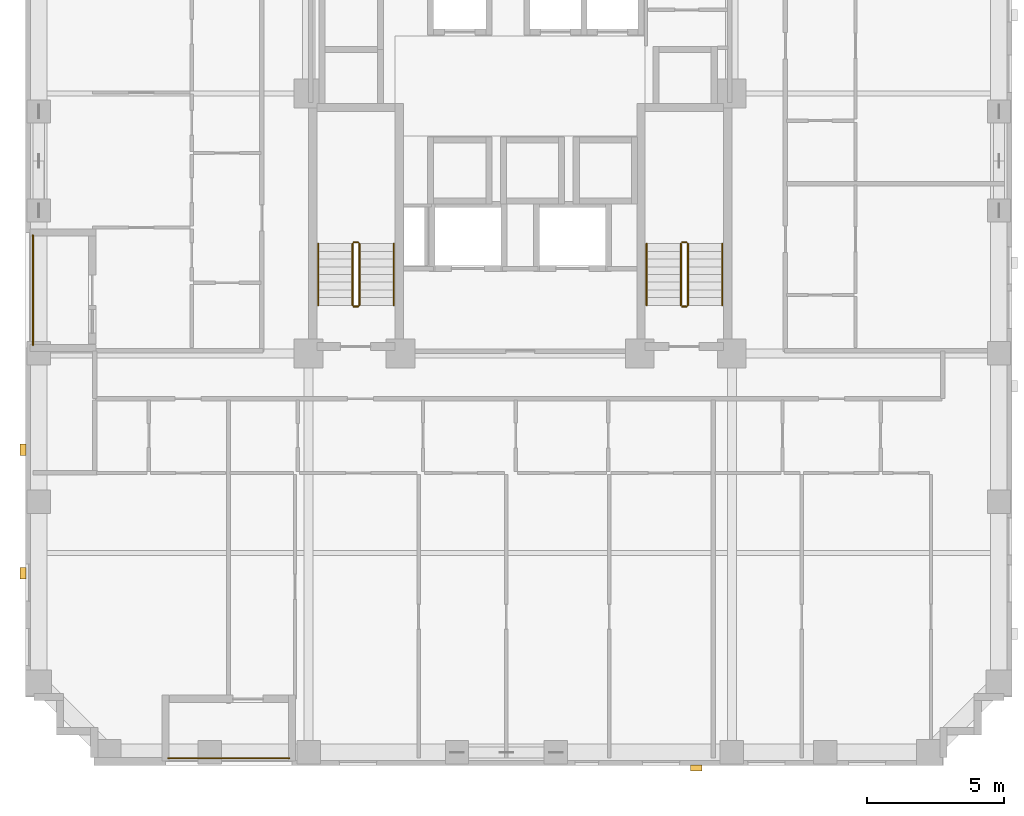
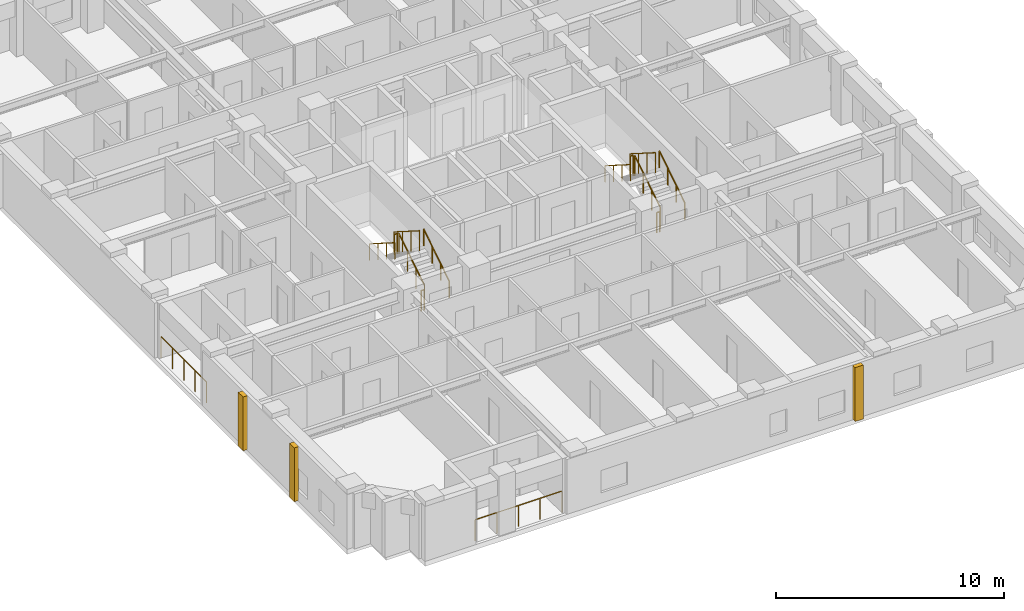
# One storey, part 11 of 12: 14 railings, 3 coverings.
"""IFC4 building model written with IfcOpenShell, lengths in metres."""

import ifcopenshell
import ifcopenshell.guid

model = None  # the IFC model being written
_history = None  # IfcOwnerHistory: only IFC2X3 demands one
_inside = {}  # id of a spatial element -> (the spatial element, [elements in it])
_under = {}  # id of a project, library or spatial element -> (it, [spatial elements below it])
_declared = {}  # id of a project -> (the project, [libraries it declares])
_typed = {}  # id of a type object -> (the type object, [elements of that type])
_made_of = {}  # id of a material, layer set ... -> (it, [elements and type objects made of it])


def new_model(schema):
    """Start an empty IFC model of exactly this schema.

    Asked for "IFC4X3", IfcOpenShell would pick the latest addendum, in which some entities
    have other attributes; the version numbers below select the first issue.
    IFC2X3 requires an IfcOwnerHistory on every rooted entity: one is made here for all.
    """
    global model, _history
    if schema == "IFC4X3":
        model = ifcopenshell.file(schema_version=(4, 3, 0, 0))
    else:
        model = ifcopenshell.file(schema=schema)
    _inside.clear()
    _under.clear()
    _declared.clear()
    _typed.clear()
    _made_of.clear()
    _history = None
    if model.schema == "IFC2X3":
        org = make("IfcOrganization", Name="unknown")
        user = make(
            "IfcPersonAndOrganization",
            ThePerson=make("IfcPerson", FamilyName="unknown"),
            TheOrganization=org,
        )
        app = make(
            "IfcApplication",
            ApplicationDeveloper=org,
            Version="unknown",
            ApplicationFullName="unknown",
            ApplicationIdentifier="unknown",
        )
        _history = make(
            "IfcOwnerHistory",
            OwningUser=user,
            OwningApplication=app,
            ChangeAction="ADDED",
            CreationDate=0,
        )
    return model


def make(cls, **values):
    """One entity of the class cls with the attributes given. An attribute that is None is left unset."""
    return model.create_entity(
        cls, **{name: value for name, value in values.items() if value is not None}
    )


def rooted(cls, **values):
    """An entity with a GlobalId (a new one), such as an element, a storey or a relation."""
    return make(cls, GlobalId=ifcopenshell.guid.new(), OwnerHistory=_history, **values)


def si_unit(unit_type, name, prefix=None):
    """IfcSIUnit, for example si_unit("LENGTHUNIT", "METRE", prefix="MILLI")."""
    return make("IfcSIUnit", UnitType=unit_type, Prefix=prefix, Name=name)


def derived_unit(unit_type, elements):
    """IfcDerivedUnit: a product of units, each with its exponent."""
    return make(
        "IfcDerivedUnit",
        Elements=[
            make("IfcDerivedUnitElement", Unit=unit, Exponent=power)
            for unit, power in elements
        ],
        UnitType=unit_type,
    )


def assignment(units):
    """IfcUnitAssignment: the units of a project."""
    return None if units is None else make("IfcUnitAssignment", Units=units)


def point(xyz):
    """IfcCartesianPoint."""
    return None if xyz is None else make("IfcCartesianPoint", Coordinates=xyz)


def direction(xyz):
    """IfcDirection."""
    return None if xyz is None else make("IfcDirection", DirectionRatios=xyz)


def frame(location, z_axis=None, x_axis=None):
    """IfcAxis2Placement3D, a coordinate frame: its origin and axes. An axis left out is left unset."""
    return make(
        "IfcAxis2Placement3D",
        Location=point(location),
        Axis=direction(z_axis),
        RefDirection=direction(x_axis),
    )


def frame_2d(location, x_axis=None):
    """IfcAxis2Placement2D, a coordinate frame in the plane: its origin and x axis."""
    return make(
        "IfcAxis2Placement2D", Location=point(location), RefDirection=direction(x_axis)
    )


def origin():
    """The frame at (0, 0, 0) with its axes left unset."""
    return frame((0.0, 0.0, 0.0))


def origin_2d():
    """The frame at (0, 0) in the plane with its x axis left unset."""
    return frame_2d((0.0, 0.0))


def place(relative_to, where):
    """IfcLocalPlacement: puts the frame where relative to a parent placement (None: the world)."""
    return make(
        "IfcLocalPlacement", PlacementRelTo=relative_to, RelativePlacement=where
    )


def context(
    kind, dimensions, precision=None, world=None, true_north=None, identifier=None
):
    """IfcGeometricRepresentationContext, for example the 3D "Model" context."""
    return make(
        "IfcGeometricRepresentationContext",
        ContextIdentifier=identifier,
        ContextType=kind,
        CoordinateSpaceDimension=dimensions,
        Precision=precision,
        WorldCoordinateSystem=world,
        TrueNorth=true_north,
    )


def subcontext(parent, identifier, kind, view, scale=None):
    """IfcGeometricRepresentationSubContext, for example "Body" below "Model"."""
    return make(
        "IfcGeometricRepresentationSubContext",
        ContextIdentifier=identifier,
        ContextType=kind,
        ParentContext=parent,
        TargetScale=scale,
        TargetView=view,
    )


def project(units=None, contexts=None):
    """IfcProject with its units and contexts."""
    return rooted(
        "IfcProject",
        Name="project",
        RepresentationContexts=contexts,
        UnitsInContext=assignment(units),
    )


def spatial(cls, under=None, at=None, **own):
    """A site, building, storey or space (cls), placed at a placement, below another one or the project."""
    s = rooted(cls, ObjectPlacement=at, **own)
    if under is not None:
        _under.setdefault(under.id(), (under, []))[1].append(s)
    return s


def profile(cls, at=None, kind="AREA", **sizes):
    """A parametric profile (cls). Its sizes go by their IFC names, for example OverallWidth=200.0."""
    return make(cls, ProfileType=kind, Position=at, **sizes)


def rectangle(**sizes):
    """IfcRectangleProfileDef."""
    return profile("IfcRectangleProfileDef", **sizes)


def circle(**sizes):
    """IfcCircleProfileDef."""
    return profile("IfcCircleProfileDef", **sizes)


def extrude(swept, where, along, depth):
    """IfcExtrudedAreaSolid: the profile swept, set in the frame where, extruded along a direction by depth."""
    return make(
        "IfcExtrudedAreaSolid",
        SweptArea=swept,
        Position=where,
        ExtrudedDirection=direction(along),
        Depth=depth,
    )


def shape(context_of_items, identifier, shape_type, items):
    """IfcShapeRepresentation: the items that make up one representation, for example the "Body"."""
    return make(
        "IfcShapeRepresentation",
        ContextOfItems=context_of_items,
        RepresentationIdentifier=identifier,
        RepresentationType=shape_type,
        Items=items,
    )


def material(Name=None, Category=None):
    """IfcMaterial."""
    return make("IfcMaterial", Name=Name, Category=Category)


def layer(
    of_material, thickness, ventilated=None, Name=None, Category=None, Priority=None
):
    """IfcMaterialLayer: one layer of a wall or slab, of a material (None: an air gap)."""
    return make(
        "IfcMaterialLayer",
        Material=of_material,
        LayerThickness=thickness,
        IsVentilated=ventilated,
        Name=Name,
        Category=Category,
        Priority=Priority,
    )


def layer_set(layers, Name=None):
    """IfcMaterialLayerSet."""
    return make("IfcMaterialLayerSet", MaterialLayers=layers, LayerSetName=Name)


def made_of(thing, what):
    """Note that an element or type object is made of a material, layer set ...; save() writes the relation."""
    if what is not None:
        _made_of.setdefault(what.id(), (what, []))[1].append(thing)
    return thing


def type_object(cls, material=None, **own):
    """A type object (cls), such as IfcWallType, which elements share."""
    return made_of(rooted(cls, **own), material)


def element(
    cls,
    number,
    at=None,
    inside=None,
    cuts=None,
    type_object=None,
    material=None,
    context=None,
    identifier="Body",
    shape_type=None,
    held_by="IfcProductDefinitionShape",
    body=None,
    shapes=None,
    **own,
):
    """One element of the class cls, such as IfcWall. Its Tag is "e" and its number.

    at: its placement. inside: the storey or other place that contains it. cuts: it is an
    opening in that element (IfcRelVoidsElement). A single representation is given by context,
    identifier, shape_type and body (its items); several are given by shapes. held_by: the class
    of the entity that holds the representations. save() writes the other relations.
    """
    e = rooted(cls, Tag="e%d" % number, ObjectPlacement=at, **own)
    if body is not None:
        shapes = [shape(context, identifier, shape_type, body)]
    if shapes is not None:
        e.Representation = make(held_by, Representations=shapes)
    if inside is not None:
        _inside.setdefault(inside.id(), (inside, []))[1].append(e)
    if cuts is not None:
        rooted(
            "IfcRelVoidsElement", RelatingBuildingElement=cuts, RelatedOpeningElement=e
        )
    if type_object is not None:
        _typed.setdefault(type_object.id(), (type_object, []))[1].append(e)
    return made_of(e, material)


def aggregate(whole, parts):
    """IfcRelAggregates: a whole, such as a stair, and the parts it consists of."""
    return rooted("IfcRelAggregates", RelatingObject=whole, RelatedObjects=parts)


def save(model, path):
    """Write the relations noted so far, then the file.

    IfcRelAggregates (storeys below a building ...), IfcRelContainedInSpatialStructure (elements
    in a storey), IfcRelDefinesByType, IfcRelAssociatesMaterial and IfcRelDeclares: one each for
    every whole, place, type object, material and project.
    """
    for whole, parts in _under.values():
        aggregate(whole, parts)
    for where, things in _inside.values():
        rooted(
            "IfcRelContainedInSpatialStructure",
            RelatedElements=things,
            RelatingStructure=where,
        )
    for kind, things in _typed.values():
        rooted("IfcRelDefinesByType", RelatedObjects=things, RelatingType=kind)
    for what, things in _made_of.values():
        rooted("IfcRelAssociatesMaterial", RelatedObjects=things, RelatingMaterial=what)
    for by, libraries in _declared.values():
        rooted("IfcRelDeclares", RelatingContext=by, RelatedDefinitions=libraries)
    model.write(path)


model = new_model("IFC4")

# Units and contexts
model_context = context("Model", 3, precision=1e-05, world=origin(), true_north=direction((0.0, 1.0)))
body_context = subcontext(model_context, "Body", "Model", "MODEL_VIEW")
ifc_project = project(units=[si_unit("LENGTHUNIT", "METRE"), si_unit("AREAUNIT", "SQUARE_METRE"), si_unit("VOLUMEUNIT", "CUBIC_METRE"), si_unit("PLANEANGLEUNIT", "RADIAN"), si_unit("MASSUNIT", "GRAM", prefix="KILO"), derived_unit("THERMALTRANSMITTANCEUNIT", [(si_unit("MASSUNIT", "GRAM", prefix="KILO"), 1), (si_unit("TIMEUNIT", "SECOND"), -3), (si_unit("THERMODYNAMICTEMPERATUREUNIT", "KELVIN"), -1)])], contexts=[model_context])

# Site, building, storey
site_placement = place(None, origin())
site = spatial("IfcSite", under=ifc_project, at=site_placement, CompositionType="ELEMENT")
building_placement = place(site_placement, origin())
building = spatial("IfcBuilding", under=site, at=building_placement, Name="Korrvale Station Residences", CompositionType="ELEMENT")
storey_placement = place(building_placement, frame((0.0, 0.0, 78.300048828125)))
storey = spatial("IfcBuildingStorey", under=building, at=storey_placement, Name="L21", CompositionType="ELEMENT", Elevation=78.300048828125)

# Coverings
ifc_material_1 = material(Name="Architectural precast concrete C45/55", Category="concrete")
ifc_layer = layer(ifc_material_1, 0.219970703125, Name="Architectural precast concrete C45/55")
ifc_layer_set = layer_set([ifc_layer], Name="Architectural precast concrete C45/55")
covering_type = type_object("IfcCoveringType", Name="COV-PIER-400", PredefinedType="CLADDING", material=ifc_layer_set)
for number, where, z_axis, x_axis, name in (
    (1, (31.89990234375, -0.090087890625, 0.02490234375), (0.0, 0.0, 1.0), (1.0, 0.0, 0.0), "L21 Architectural Precast Facade Pier 01"),
    (2, (7.409912109375, 7.0, 0.02490234375), (0.0, 0.0, 1.0), (0.0, 1.0, 0.0), "L21 Architectural Precast Facade Pier 04"),
    (3, (7.409912109375, 11.5, 0.02490234375), (0.0, 0.0, 1.0), (0.0, 1.0, 0.0), "L21 Architectural Precast Facade Pier 05"),
):
    element("IfcCovering", number, at=place(storey_placement, frame(where, z_axis=z_axis, x_axis=x_axis)), inside=storey, type_object=covering_type, Name=name, PredefinedType="CLADDING", context=body_context, shape_type="SweptSolid", body=[
        extrude(rectangle(XDim=0.419921875, YDim=0.219970703125, at=origin_2d()), origin(), (0.0, 0.0, 1.0), 2.889892578125),
    ])

# Railings
ifc_material_2 = material(Name="Powder-coated aluminium picket loggia guard", Category="aluminium")
railing_type_1 = type_object("IfcRailingType", Name="RLG-BAL-1150", PredefinedType="GUARDRAIL", material=ifc_material_2)
railing_1_placement = place(storey_placement, frame((12.699951171875, 0.27001953125, 0.0)))
element("IfcRailing", 4, at=railing_1_placement, inside=storey, type_object=railing_type_1, Name="L21 Recessed Loggia Guardrail BAL-L21-S1", PredefinedType="GUARDRAIL", context=body_context, shape_type="SweptSolid", body=[
    extrude(circle(Radius=0.02392578125, at=origin_2d()), frame((0.0, 0.0, 1.1259765625), z_axis=(1.0, 0.0, 0.0), x_axis=(0.0, 1.0, 0.0)), (0.0, 0.0, 1.0), 4.400146484375),
    extrude(circle(Radius=0.02099609375, at=origin_2d()), origin(), (0.0, 0.0, 1.0), 1.101806640625),
    extrude(circle(Radius=0.02099609375, at=origin_2d()), frame((1.10009765625, 0.0, 0.0)), (0.0, 0.0, 1.0), 1.101806640625),
    extrude(circle(Radius=0.02099609375, at=origin_2d()), frame((2.2001953125, 0.0, 0.0)), (0.0, 0.0, 1.0), 1.101806640625),
    extrude(circle(Radius=0.02099609375, at=origin_2d()), frame((3.300048828125, 0.0, 0.0)), (0.0, 0.0, 1.0), 1.101806640625),
    extrude(circle(Radius=0.02099609375, at=origin_2d()), frame((4.400146484375, 0.0, 0.0)), (0.0, 0.0, 1.0), 1.101806640625),
])
railing_2_placement = place(storey_placement, frame((7.77001953125, 15.300048828125, 0.0)))
element("IfcRailing", 5, at=railing_2_placement, inside=storey, type_object=railing_type_1, Name="L21 Recessed Loggia Guardrail BAL-L21-W1", PredefinedType="GUARDRAIL", context=body_context, shape_type="SweptSolid", body=[
    extrude(circle(Radius=0.02392578125, at=origin_2d()), frame((0.0, 0.0, 1.1259765625), z_axis=(0.0, 1.0, 0.0), x_axis=(-1.0, 0.0, 0.0)), (0.0, 0.0, 1.0), 4.0),
    extrude(circle(Radius=0.02099609375, at=origin_2d()), origin(), (0.0, 0.0, 1.0), 1.101806640625),
    extrude(circle(Radius=0.02099609375, at=origin_2d()), frame((0.0, 1.0, 0.0)), (0.0, 0.0, 1.0), 1.101806640625),
    extrude(circle(Radius=0.02099609375, at=origin_2d()), frame((0.0, 2.0, 0.0)), (0.0, 0.0, 1.0), 1.101806640625),
    extrude(circle(Radius=0.02099609375, at=origin_2d()), frame((0.0, 3.0, 0.0)), (0.0, 0.0, 1.0), 1.101806640625),
    extrude(circle(Radius=0.02099609375, at=origin_2d()), frame((0.0, 4.0, 0.0)), (0.0, 0.0, 1.0), 1.101806640625),
])
ifc_material_3 = material(Name="Brushed stainless-steel continuous stair handrail", Category="steel")
railing_type_2 = type_object("IfcRailingType", Name="RLG-SHND-900", PredefinedType="HANDRAIL", material=ifc_material_3)
railing_3_placement = place(storey_placement, frame((20.89990234375, 16.75, 0.177734375)))
element("IfcRailing", 6, at=railing_3_placement, inside=storey, type_object=railing_type_2, Name="L21 ST-1 stair handrail 1", PredefinedType="HANDRAIL", context=body_context, shape_type="SweptSolid", body=[
    extrude(circle(Radius=0.02392578125, at=origin_2d()), frame((0.0, 0.0, 0.8759765625), z_axis=(0.0, 0.8442293374, 0.53598211339), x_axis=(-1.0, 0.0, 0.0)), (0.0, 0.0, 1.0), 2.6533203125),
    extrude(circle(Radius=0.02099609375, at=origin_2d()), origin(), (0.0, 0.0, 1.0), 0.851806640625),
    extrude(circle(Radius=0.02099609375, at=origin_2d()), frame((0.0, 0.74658203125, 0.47412109375)), (0.0, 0.0, 1.0), 0.851806640625),
    extrude(circle(Radius=0.02099609375, at=origin_2d()), frame((0.0, 1.493408203125, 0.947998046875)), (0.0, 0.0, 1.0), 0.851806640625),
    extrude(circle(Radius=0.02099609375, at=origin_2d()), frame((0.0, 2.239990234375, 1.422119140625)), (0.0, 0.0, 1.0), 0.851806640625),
])
railing_4_placement = place(storey_placement, frame((18.14990234375, 18.989990234375, 1.77783203125)))
element("IfcRailing", 7, at=railing_4_placement, inside=storey, type_object=railing_type_2, Name="L21 ST-1 stair handrail 2", PredefinedType="HANDRAIL", context=body_context, shape_type="SweptSolid", body=[
    extrude(circle(Radius=0.02392578125, at=origin_2d()), frame((0.0, 0.0, 0.8759765625), z_axis=(0.0, -0.8442293374, 0.53598211339), x_axis=(1.0, 0.0, 0.0)), (0.0, 0.0, 1.0), 2.6533203125),
    extrude(circle(Radius=0.02099609375, at=origin_2d()), origin(), (0.0, 0.0, 1.0), 0.851806640625),
    extrude(circle(Radius=0.02099609375, at=origin_2d()), frame((0.0, -0.74658203125, 0.47412109375)), (0.0, 0.0, 1.0), 0.851806640625),
    extrude(circle(Radius=0.02099609375, at=origin_2d()), frame((0.0, -1.493408203125, 0.947998046875)), (0.0, 0.0, 1.0), 0.851806640625),
    extrude(circle(Radius=0.02099609375, at=origin_2d()), frame((0.0, -2.239990234375, 1.422119140625)), (0.0, 0.0, 1.0), 0.851806640625),
])
railing_5_placement = place(storey_placement, frame((32.85009765625, 16.75, 0.177734375)))
element("IfcRailing", 8, at=railing_5_placement, inside=storey, type_object=railing_type_2, Name="L21 ST-2 stair handrail 1", PredefinedType="HANDRAIL", context=body_context, shape_type="SweptSolid", body=[
    extrude(circle(Radius=0.02392578125, at=origin_2d()), frame((0.0, 0.0, 0.8759765625), z_axis=(0.0, 0.8442293374, 0.53598211339), x_axis=(-1.0, 0.0, 0.0)), (0.0, 0.0, 1.0), 2.6533203125),
    extrude(circle(Radius=0.02099609375, at=origin_2d()), origin(), (0.0, 0.0, 1.0), 0.851806640625),
    extrude(circle(Radius=0.02099609375, at=origin_2d()), frame((0.0, 0.74658203125, 0.47412109375)), (0.0, 0.0, 1.0), 0.851806640625),
    extrude(circle(Radius=0.02099609375, at=origin_2d()), frame((0.0, 1.493408203125, 0.947998046875)), (0.0, 0.0, 1.0), 0.851806640625),
    extrude(circle(Radius=0.02099609375, at=origin_2d()), frame((0.0, 2.239990234375, 1.422119140625)), (0.0, 0.0, 1.0), 0.851806640625),
])
railing_6_placement = place(storey_placement, frame((30.10009765625, 18.989990234375, 1.77783203125)))
element("IfcRailing", 9, at=railing_6_placement, inside=storey, type_object=railing_type_2, Name="L21 ST-2 stair handrail 2", PredefinedType="HANDRAIL", context=body_context, shape_type="SweptSolid", body=[
    extrude(circle(Radius=0.02392578125, at=origin_2d()), frame((0.0, 0.0, 0.8759765625), z_axis=(0.0, -0.8442293374, 0.53598211339), x_axis=(1.0, 0.0, 0.0)), (0.0, 0.0, 1.0), 2.6533203125),
    extrude(circle(Radius=0.02099609375, at=origin_2d()), origin(), (0.0, 0.0, 1.0), 0.851806640625),
    extrude(circle(Radius=0.02099609375, at=origin_2d()), frame((0.0, -0.74658203125, 0.47412109375)), (0.0, 0.0, 1.0), 0.851806640625),
    extrude(circle(Radius=0.02099609375, at=origin_2d()), frame((0.0, -1.493408203125, 0.947998046875)), (0.0, 0.0, 1.0), 0.851806640625),
    extrude(circle(Radius=0.02099609375, at=origin_2d()), frame((0.0, -2.239990234375, 1.422119140625)), (0.0, 0.0, 1.0), 0.851806640625),
])
ifc_material_4 = material(Name="Galvanised painted tubular steel stair guard", Category="steel")
railing_type_3 = type_object("IfcRailingType", Name="RLG-STR-1100", PredefinedType="GUARDRAIL", material=ifc_material_4)
railing_7_placement = place(storey_placement, frame((19.64990234375, 16.75, 0.177734375)))
element("IfcRailing", 10, at=railing_7_placement, inside=storey, type_object=railing_type_3, Name="L21 ST-1 stair guard 1", PredefinedType="GUARDRAIL", context=body_context, shape_type="SweptSolid", body=[
    extrude(circle(Radius=0.02392578125, at=origin_2d()), frame((0.0, 0.0, 1.076171875), z_axis=(0.0, 0.8442293374, 0.53598211339), x_axis=(-1.0, 0.0, 0.0)), (0.0, 0.0, 1.0), 2.6533203125),
    extrude(circle(Radius=0.02099609375, at=origin_2d()), origin(), (0.0, 0.0, 1.0), 1.052001953125),
    extrude(circle(Radius=0.02099609375, at=origin_2d()), frame((0.0, 0.74658203125, 0.47412109375)), (0.0, 0.0, 1.0), 1.052001953125),
    extrude(circle(Radius=0.02099609375, at=origin_2d()), frame((0.0, 1.493408203125, 0.947998046875)), (0.0, 0.0, 1.0), 1.052001953125),
    extrude(circle(Radius=0.02099609375, at=origin_2d()), frame((0.0, 2.239990234375, 1.422119140625)), (0.0, 0.0, 1.0), 1.052001953125),
])
railing_8_placement = place(storey_placement, frame((19.60009765625, 19.0400390625, 1.599853515625)))
element("IfcRailing", 11, at=railing_8_placement, inside=storey, type_object=railing_type_3, Name="L21 ST-1 stair guard 2", PredefinedType="GUARDRAIL", context=body_context, shape_type="SweptSolid", body=[
    extrude(circle(Radius=0.02392578125, at=origin_2d()), frame((0.0, 0.0, 1.076171875), z_axis=(-1.0, 0.0, 0.0), x_axis=(0.0, -1.0, 0.0)), (0.0, 0.0, 1.0), 0.150146484375),
    extrude(circle(Radius=0.02099609375, at=origin_2d()), origin(), (0.0, 0.0, 1.0), 1.052001953125),
    extrude(circle(Radius=0.02099609375, at=origin_2d()), frame((-0.150146484375, 0.0, 0.0)), (0.0, 0.0, 1.0), 1.052001953125),
])
railing_9_placement = place(storey_placement, frame((19.39990234375, 18.989990234375, 1.77783203125)))
element("IfcRailing", 12, at=railing_9_placement, inside=storey, type_object=railing_type_3, Name="L21 ST-1 stair guard 3", PredefinedType="GUARDRAIL", context=body_context, shape_type="SweptSolid", body=[
    extrude(circle(Radius=0.02392578125, at=origin_2d()), frame((0.0, 0.0, 1.076171875), z_axis=(0.0, -0.8442293374, 0.53598211339), x_axis=(1.0, 0.0, 0.0)), (0.0, 0.0, 1.0), 2.6533203125),
    extrude(circle(Radius=0.02099609375, at=origin_2d()), origin(), (0.0, 0.0, 1.0), 1.052001953125),
    extrude(circle(Radius=0.02099609375, at=origin_2d()), frame((0.0, -0.74658203125, 0.47412109375)), (0.0, 0.0, 1.0), 1.052001953125),
    extrude(circle(Radius=0.02099609375, at=origin_2d()), frame((0.0, -1.493408203125, 0.947998046875)), (0.0, 0.0, 1.0), 1.052001953125),
    extrude(circle(Radius=0.02099609375, at=origin_2d()), frame((0.0, -2.239990234375, 1.422119140625)), (0.0, 0.0, 1.0), 1.052001953125),
])
railing_10_placement = place(storey_placement, frame((19.60009765625, 16.699951171875, 0.0)))
element("IfcRailing", 13, at=railing_10_placement, inside=storey, type_object=railing_type_3, Name="L21 ST-1 stair guard 4", PredefinedType="GUARDRAIL", context=body_context, shape_type="SweptSolid", body=[
    extrude(circle(Radius=0.02392578125, at=origin_2d()), frame((0.0, 0.0, 1.076171875), z_axis=(-1.0, 0.0, 0.0), x_axis=(0.0, -1.0, 0.0)), (0.0, 0.0, 1.0), 0.150146484375),
    extrude(circle(Radius=0.02099609375, at=origin_2d()), origin(), (0.0, 0.0, 1.0), 1.052001953125),
    extrude(circle(Radius=0.02099609375, at=origin_2d()), frame((-0.150146484375, 0.0, 0.0)), (0.0, 0.0, 1.0), 1.052001953125),
])
railing_11_placement = place(storey_placement, frame((31.60009765625, 16.75, 0.177734375)))
element("IfcRailing", 14, at=railing_11_placement, inside=storey, type_object=railing_type_3, Name="L21 ST-2 stair guard 1", PredefinedType="GUARDRAIL", context=body_context, shape_type="SweptSolid", body=[
    extrude(circle(Radius=0.02392578125, at=origin_2d()), frame((0.0, 0.0, 1.076171875), z_axis=(0.0, 0.8442293374, 0.53598211339), x_axis=(-1.0, 0.0, 0.0)), (0.0, 0.0, 1.0), 2.6533203125),
    extrude(circle(Radius=0.02099609375, at=origin_2d()), origin(), (0.0, 0.0, 1.0), 1.052001953125),
    extrude(circle(Radius=0.02099609375, at=origin_2d()), frame((0.0, 0.74658203125, 0.47412109375)), (0.0, 0.0, 1.0), 1.052001953125),
    extrude(circle(Radius=0.02099609375, at=origin_2d()), frame((0.0, 1.493408203125, 0.947998046875)), (0.0, 0.0, 1.0), 1.052001953125),
    extrude(circle(Radius=0.02099609375, at=origin_2d()), frame((0.0, 2.239990234375, 1.422119140625)), (0.0, 0.0, 1.0), 1.052001953125),
])
railing_12_placement = place(storey_placement, frame((31.550048828125, 19.0400390625, 1.599853515625)))
element("IfcRailing", 15, at=railing_12_placement, inside=storey, type_object=railing_type_3, Name="L21 ST-2 stair guard 2", PredefinedType="GUARDRAIL", context=body_context, shape_type="SweptSolid", body=[
    extrude(circle(Radius=0.02392578125, at=origin_2d()), frame((0.0, 0.0, 1.076171875), z_axis=(-1.0, 0.0, 0.0), x_axis=(0.0, -1.0, 0.0)), (0.0, 0.0, 1.0), 0.150146484375),
    extrude(circle(Radius=0.02099609375, at=origin_2d()), origin(), (0.0, 0.0, 1.0), 1.052001953125),
    extrude(circle(Radius=0.02099609375, at=origin_2d()), frame((-0.150146484375, 0.0, 0.0)), (0.0, 0.0, 1.0), 1.052001953125),
])
railing_13_placement = place(storey_placement, frame((31.35009765625, 18.989990234375, 1.77783203125)))
element("IfcRailing", 16, at=railing_13_placement, inside=storey, type_object=railing_type_3, Name="L21 ST-2 stair guard 3", PredefinedType="GUARDRAIL", context=body_context, shape_type="SweptSolid", body=[
    extrude(circle(Radius=0.02392578125, at=origin_2d()), frame((0.0, 0.0, 1.076171875), z_axis=(0.0, -0.8442293374, 0.53598211339), x_axis=(1.0, 0.0, 0.0)), (0.0, 0.0, 1.0), 2.6533203125),
    extrude(circle(Radius=0.02099609375, at=origin_2d()), origin(), (0.0, 0.0, 1.0), 1.052001953125),
    extrude(circle(Radius=0.02099609375, at=origin_2d()), frame((0.0, -0.74658203125, 0.47412109375)), (0.0, 0.0, 1.0), 1.052001953125),
    extrude(circle(Radius=0.02099609375, at=origin_2d()), frame((0.0, -1.493408203125, 0.947998046875)), (0.0, 0.0, 1.0), 1.052001953125),
    extrude(circle(Radius=0.02099609375, at=origin_2d()), frame((0.0, -2.239990234375, 1.422119140625)), (0.0, 0.0, 1.0), 1.052001953125),
])
railing_14_placement = place(storey_placement, frame((31.550048828125, 16.699951171875, 0.0)))
element("IfcRailing", 17, at=railing_14_placement, inside=storey, type_object=railing_type_3, Name="L21 ST-2 stair guard 4", PredefinedType="GUARDRAIL", context=body_context, shape_type="SweptSolid", body=[
    extrude(circle(Radius=0.02392578125, at=origin_2d()), frame((0.0, 0.0, 1.076171875), z_axis=(-1.0, 0.0, 0.0), x_axis=(0.0, -1.0, 0.0)), (0.0, 0.0, 1.0), 0.150146484375),
    extrude(circle(Radius=0.02099609375, at=origin_2d()), origin(), (0.0, 0.0, 1.0), 1.052001953125),
    extrude(circle(Radius=0.02099609375, at=origin_2d()), frame((-0.150146484375, 0.0, 0.0)), (0.0, 0.0, 1.0), 1.052001953125),
])

save(model, "model.ifc")
